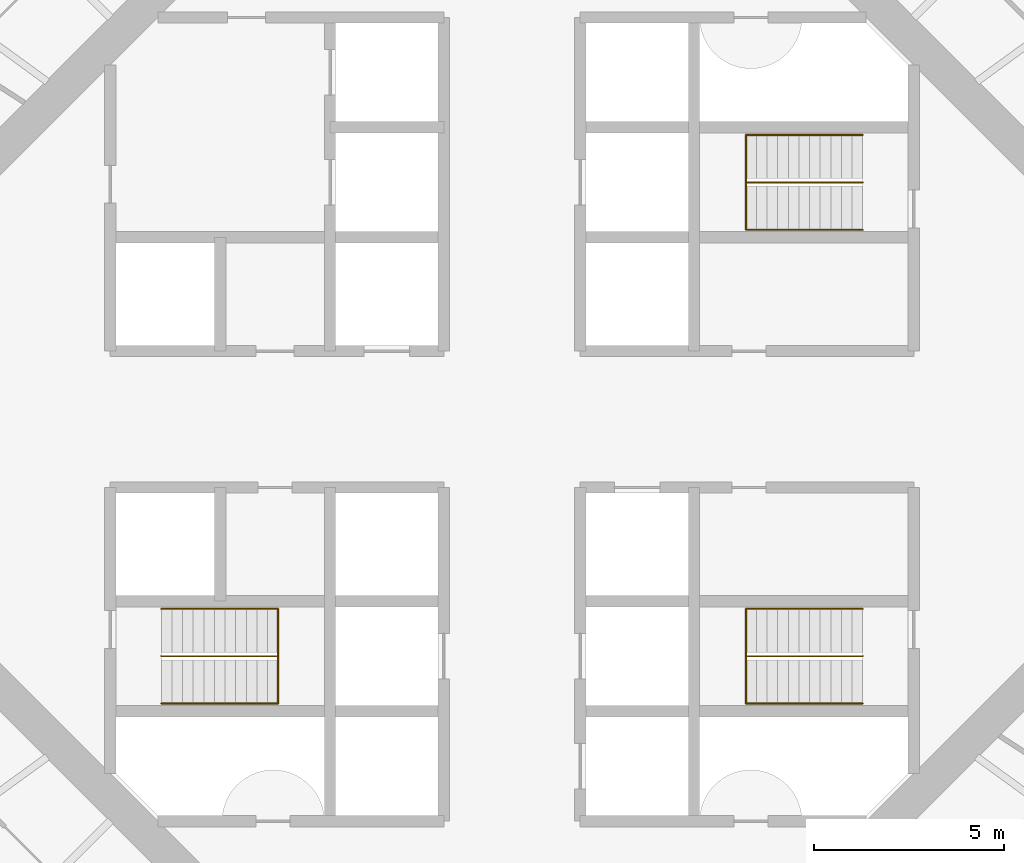
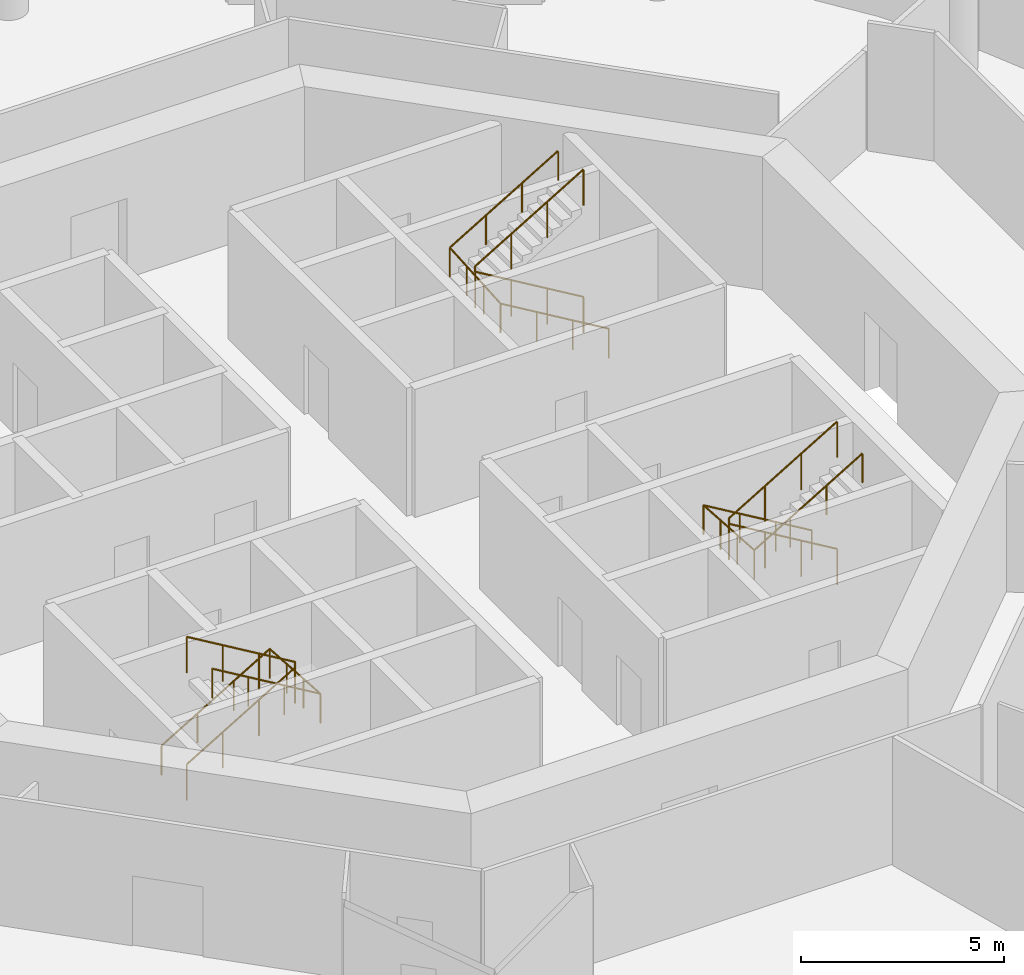
# One storey, part 13 of 13: 6 railings.
"""IFC4 building model written with IfcOpenShell, lengths in metres."""

from ifc_helpers import new_model, si_unit, direction, frame, origin, origin_2d, place, context, subcontext, project, spatial, circle, extrude, material, type_object, element, save


model = new_model("IFC4")

# Units and contexts
model_context = context("Model", 3, precision=1e-05, world=origin(), true_north=direction((0.0, 1.0)))
body_context = subcontext(model_context, "Body", "Model", "MODEL_VIEW")
ifc_project = project(units=[si_unit("LENGTHUNIT", "METRE"), si_unit("AREAUNIT", "SQUARE_METRE"), si_unit("VOLUMEUNIT", "CUBIC_METRE"), si_unit("PLANEANGLEUNIT", "RADIAN"), si_unit("MASSUNIT", "GRAM", prefix="KILO")], contexts=[model_context])

# Site, building, storey
site_placement = place(None, origin())
site = spatial("IfcSite", under=ifc_project, at=site_placement, CompositionType="ELEMENT")
building_placement = place(site_placement, origin())
building = spatial("IfcBuilding", under=site, at=building_placement, Name="Entoto Ring Tower", CompositionType="ELEMENT")
storey_placement = place(building_placement, frame((0.0, 0.0, 226.0)))
storey = spatial("IfcBuildingStorey", under=building, at=storey_placement, Name="L52", CompositionType="ELEMENT", Elevation=226.0)

# Railings
ifc_material_1 = material(Name="Steel S275", Category="steel")
railing_type_1 = type_object("IfcRailingType", Name="Stair guard 1100 mm steel", PredefinedType="GUARDRAIL", material=ifc_material_1)
railing_1_placement = place(storey_placement, frame((99.25, 86.25, 0.166748046875)))
element("IfcRailing", 1, at=railing_1_placement, inside=storey, type_object=railing_type_1, Name="Guard ST1", PredefinedType="GUARDRAIL", context=body_context, shape_type="SweptSolid", body=[
    extrude(circle(Radius=0.02392578125, at=origin_2d()), frame((0.0, 0.0, 1.076171875), z_axis=(-0.859308565015, 0.0, 0.511457515432), x_axis=(0.0, -1.0, 0.0)), (0.0, 0.0, 1.0), 3.58447265625),
    extrude(circle(Radius=0.02392578125, at=origin_2d()), frame((-3.080078125, 0.0, 2.9091796875), z_axis=(0.0, 0.0, 1.0), x_axis=(1.0, 0.0, 0.0)), (0.0, 0.0, 1.0), 0.166748046875),
    extrude(circle(Radius=0.02392578125, at=origin_2d()), frame((-3.080078125, 0.0, 3.076171875), z_axis=(0.859308565015, 0.0, 0.511457515432), x_axis=(0.0, 1.0, 0.0)), (0.0, 0.0, 1.0), 3.58447265625),
    extrude(circle(Radius=0.02099609375, at=origin_2d()), origin(), (0.0, 0.0, 1.0), 1.052001953125),
    extrude(circle(Radius=0.02099609375, at=origin_2d()), frame((-1.026611328125, 0.0, 0.611083984375)), (0.0, 0.0, 1.0), 1.052001953125),
    extrude(circle(Radius=0.02099609375, at=origin_2d()), frame((-2.053466796875, 0.0, 1.22216796875)), (0.0, 0.0, 1.0), 1.052001953125),
    extrude(circle(Radius=0.02099609375, at=origin_2d()), frame((-3.080078125, 0.0, 1.833251953125)), (0.0, 0.0, 1.0), 1.052001953125),
    extrude(circle(Radius=0.02099609375, at=origin_2d()), frame((-3.080078125, 0.0, 2.0)), (0.0, 0.0, 1.0), 1.052001953125),
    extrude(circle(Radius=0.02099609375, at=origin_2d()), frame((-2.053466796875, 0.0, 2.611083984375)), (0.0, 0.0, 1.0), 1.052001953125),
    extrude(circle(Radius=0.02099609375, at=origin_2d()), frame((-1.026611328125, 0.0, 3.22216796875)), (0.0, 0.0, 1.0), 1.052001953125),
    extrude(circle(Radius=0.02099609375, at=origin_2d()), frame((0.0, 0.0, 3.833251953125)), (0.0, 0.0, 1.0), 1.052001953125),
])
railing_2_placement = place(storey_placement, frame((80.75, 73.75, 0.166748046875)))
element("IfcRailing", 2, at=railing_2_placement, inside=storey, type_object=railing_type_1, Name="Guard ST2", PredefinedType="GUARDRAIL", context=body_context, shape_type="SweptSolid", body=[
    extrude(circle(Radius=0.02392578125, at=origin_2d()), frame((0.0, 0.0, 1.076171875), z_axis=(0.859308565015, 0.0, 0.511457515432), x_axis=(0.0, 1.0, 0.0)), (0.0, 0.0, 1.0), 3.58447265625),
    extrude(circle(Radius=0.02392578125, at=origin_2d()), frame((3.080078125, 0.0, 2.9091796875), z_axis=(0.0, 0.0, 1.0), x_axis=(1.0, 0.0, 0.0)), (0.0, 0.0, 1.0), 0.166748046875),
    extrude(circle(Radius=0.02392578125, at=origin_2d()), frame((3.080078125, 0.0, 3.076171875), z_axis=(-0.859308565015, 0.0, 0.511457515432), x_axis=(0.0, -1.0, 0.0)), (0.0, 0.0, 1.0), 3.58447265625),
    extrude(circle(Radius=0.02099609375, at=origin_2d()), origin(), (0.0, 0.0, 1.0), 1.052001953125),
    extrude(circle(Radius=0.02099609375, at=origin_2d()), frame((1.026611328125, 0.0, 0.611083984375)), (0.0, 0.0, 1.0), 1.052001953125),
    extrude(circle(Radius=0.02099609375, at=origin_2d()), frame((2.053466796875, 0.0, 1.22216796875)), (0.0, 0.0, 1.0), 1.052001953125),
    extrude(circle(Radius=0.02099609375, at=origin_2d()), frame((3.080078125, 0.0, 1.833251953125)), (0.0, 0.0, 1.0), 1.052001953125),
    extrude(circle(Radius=0.02099609375, at=origin_2d()), frame((3.080078125, 0.0, 2.0)), (0.0, 0.0, 1.0), 1.052001953125),
    extrude(circle(Radius=0.02099609375, at=origin_2d()), frame((2.053466796875, 0.0, 2.611083984375)), (0.0, 0.0, 1.0), 1.052001953125),
    extrude(circle(Radius=0.02099609375, at=origin_2d()), frame((1.026611328125, 0.0, 3.22216796875)), (0.0, 0.0, 1.0), 1.052001953125),
    extrude(circle(Radius=0.02099609375, at=origin_2d()), frame((0.0, 0.0, 3.833251953125)), (0.0, 0.0, 1.0), 1.052001953125),
])
railing_3_placement = place(storey_placement, frame((99.25, 73.75, 0.166748046875)))
element("IfcRailing", 3, at=railing_3_placement, inside=storey, type_object=railing_type_1, Name="Guard ST3", PredefinedType="GUARDRAIL", context=body_context, shape_type="SweptSolid", body=[
    extrude(circle(Radius=0.02392578125, at=origin_2d()), frame((0.0, 0.0, 1.076171875), z_axis=(-0.859308565015, 0.0, 0.511457515432), x_axis=(0.0, -1.0, 0.0)), (0.0, 0.0, 1.0), 3.58447265625),
    extrude(circle(Radius=0.02392578125, at=origin_2d()), frame((-3.080078125, 0.0, 2.9091796875), z_axis=(0.0, 0.0, 1.0), x_axis=(1.0, 0.0, 0.0)), (0.0, 0.0, 1.0), 0.166748046875),
    extrude(circle(Radius=0.02392578125, at=origin_2d()), frame((-3.080078125, 0.0, 3.076171875), z_axis=(0.859308565015, 0.0, 0.511457515432), x_axis=(0.0, 1.0, 0.0)), (0.0, 0.0, 1.0), 3.58447265625),
    extrude(circle(Radius=0.02099609375, at=origin_2d()), origin(), (0.0, 0.0, 1.0), 1.052001953125),
    extrude(circle(Radius=0.02099609375, at=origin_2d()), frame((-1.026611328125, 0.0, 0.611083984375)), (0.0, 0.0, 1.0), 1.052001953125),
    extrude(circle(Radius=0.02099609375, at=origin_2d()), frame((-2.053466796875, 0.0, 1.22216796875)), (0.0, 0.0, 1.0), 1.052001953125),
    extrude(circle(Radius=0.02099609375, at=origin_2d()), frame((-3.080078125, 0.0, 1.833251953125)), (0.0, 0.0, 1.0), 1.052001953125),
    extrude(circle(Radius=0.02099609375, at=origin_2d()), frame((-3.080078125, 0.0, 2.0)), (0.0, 0.0, 1.0), 1.052001953125),
    extrude(circle(Radius=0.02099609375, at=origin_2d()), frame((-2.053466796875, 0.0, 2.611083984375)), (0.0, 0.0, 1.0), 1.052001953125),
    extrude(circle(Radius=0.02099609375, at=origin_2d()), frame((-1.026611328125, 0.0, 3.22216796875)), (0.0, 0.0, 1.0), 1.052001953125),
    extrude(circle(Radius=0.02099609375, at=origin_2d()), frame((0.0, 0.0, 3.833251953125)), (0.0, 0.0, 1.0), 1.052001953125),
])
ifc_material_2 = material(Name="Steel S275", Category="steel")
railing_type_2 = type_object("IfcRailingType", Name="Stair handrail 900 mm steel", PredefinedType="HANDRAIL", material=ifc_material_2)
railing_4_placement = place(storey_placement, frame((99.25, 85.0, 0.166748046875)))
element("IfcRailing", 4, at=railing_4_placement, inside=storey, type_object=railing_type_2, Name="Handrail ST1", PredefinedType="HANDRAIL", context=body_context, shape_type="SweptSolid", body=[
    extrude(circle(Radius=0.02392578125, at=origin_2d()), frame((0.0, 0.0, 0.8759765625), z_axis=(-0.859308565015, 0.0, 0.511457515432), x_axis=(0.0, -1.0, 0.0)), (0.0, 0.0, 1.0), 3.58447265625),
    extrude(circle(Radius=0.02392578125, at=origin_2d()), frame((-3.080078125, 0.0, 2.708984375), z_axis=(0.0, 0.997783001586, 0.066551346688), x_axis=(-1.0, 0.0, 0.0)), (0.0, 0.0, 1.0), 2.505615234375),
    extrude(circle(Radius=0.02392578125, at=origin_2d()), frame((-3.080078125, 2.5, 2.8759765625), z_axis=(0.859308565015, 0.0, 0.511457515432), x_axis=(0.0, 1.0, 0.0)), (0.0, 0.0, 1.0), 3.58447265625),
    extrude(circle(Radius=0.02099609375, at=origin_2d()), origin(), (0.0, 0.0, 1.0), 0.851806640625),
    extrude(circle(Radius=0.02099609375, at=origin_2d()), frame((-1.026611328125, 0.0, 0.611083984375)), (0.0, 0.0, 1.0), 0.851806640625),
    extrude(circle(Radius=0.02099609375, at=origin_2d()), frame((-2.053466796875, 0.0, 1.22216796875)), (0.0, 0.0, 1.0), 0.851806640625),
    extrude(circle(Radius=0.02099609375, at=origin_2d()), frame((-3.080078125, 0.0, 1.833251953125)), (0.0, 0.0, 1.0), 0.851806640625),
    extrude(circle(Radius=0.02099609375, at=origin_2d()), frame((-3.080078125, 0.833251953125, 1.888916015625)), (0.0, 0.0, 1.0), 0.851806640625),
    extrude(circle(Radius=0.02099609375, at=origin_2d()), frame((-3.080078125, 1.666748046875, 1.9443359375)), (0.0, 0.0, 1.0), 0.851806640625),
    extrude(circle(Radius=0.02099609375, at=origin_2d()), frame((-3.080078125, 2.5, 2.0)), (0.0, 0.0, 1.0), 0.851806640625),
    extrude(circle(Radius=0.02099609375, at=origin_2d()), frame((-2.053466796875, 2.5, 2.611083984375)), (0.0, 0.0, 1.0), 0.851806640625),
    extrude(circle(Radius=0.02099609375, at=origin_2d()), frame((-1.026611328125, 2.5, 3.22216796875)), (0.0, 0.0, 1.0), 0.851806640625),
    extrude(circle(Radius=0.02099609375, at=origin_2d()), frame((0.0, 2.5, 3.833251953125)), (0.0, 0.0, 1.0), 0.851806640625),
])
railing_5_placement = place(storey_placement, frame((80.75, 75.0, 0.166748046875)))
element("IfcRailing", 5, at=railing_5_placement, inside=storey, type_object=railing_type_2, Name="Handrail ST2", PredefinedType="HANDRAIL", context=body_context, shape_type="SweptSolid", body=[
    extrude(circle(Radius=0.02392578125, at=origin_2d()), frame((0.0, 0.0, 0.8759765625), z_axis=(0.859308565015, 0.0, 0.511457515432), x_axis=(0.0, 1.0, 0.0)), (0.0, 0.0, 1.0), 3.58447265625),
    extrude(circle(Radius=0.02392578125, at=origin_2d()), frame((3.080078125, 0.0, 2.708984375), z_axis=(0.0, -0.997783001586, 0.066551346688), x_axis=(1.0, 0.0, 0.0)), (0.0, 0.0, 1.0), 2.505615234375),
    extrude(circle(Radius=0.02392578125, at=origin_2d()), frame((3.080078125, -2.5, 2.8759765625), z_axis=(-0.859308565015, 0.0, 0.511457515432), x_axis=(0.0, -1.0, 0.0)), (0.0, 0.0, 1.0), 3.58447265625),
    extrude(circle(Radius=0.02099609375, at=origin_2d()), origin(), (0.0, 0.0, 1.0), 0.851806640625),
    extrude(circle(Radius=0.02099609375, at=origin_2d()), frame((1.026611328125, 0.0, 0.611083984375)), (0.0, 0.0, 1.0), 0.851806640625),
    extrude(circle(Radius=0.02099609375, at=origin_2d()), frame((2.053466796875, 0.0, 1.22216796875)), (0.0, 0.0, 1.0), 0.851806640625),
    extrude(circle(Radius=0.02099609375, at=origin_2d()), frame((3.080078125, 0.0, 1.833251953125)), (0.0, 0.0, 1.0), 0.851806640625),
    extrude(circle(Radius=0.02099609375, at=origin_2d()), frame((3.080078125, -0.833251953125, 1.888916015625)), (0.0, 0.0, 1.0), 0.851806640625),
    extrude(circle(Radius=0.02099609375, at=origin_2d()), frame((3.080078125, -1.666748046875, 1.9443359375)), (0.0, 0.0, 1.0), 0.851806640625),
    extrude(circle(Radius=0.02099609375, at=origin_2d()), frame((3.080078125, -2.5, 2.0)), (0.0, 0.0, 1.0), 0.851806640625),
    extrude(circle(Radius=0.02099609375, at=origin_2d()), frame((2.053466796875, -2.5, 2.611083984375)), (0.0, 0.0, 1.0), 0.851806640625),
    extrude(circle(Radius=0.02099609375, at=origin_2d()), frame((1.026611328125, -2.5, 3.22216796875)), (0.0, 0.0, 1.0), 0.851806640625),
    extrude(circle(Radius=0.02099609375, at=origin_2d()), frame((0.0, -2.5, 3.833251953125)), (0.0, 0.0, 1.0), 0.851806640625),
])
railing_6_placement = place(storey_placement, frame((99.25, 75.0, 0.166748046875)))
element("IfcRailing", 6, at=railing_6_placement, inside=storey, type_object=railing_type_2, Name="Handrail ST3", PredefinedType="HANDRAIL", context=body_context, shape_type="SweptSolid", body=[
    extrude(circle(Radius=0.02392578125, at=origin_2d()), frame((0.0, 0.0, 0.8759765625), z_axis=(-0.859308565015, 0.0, 0.511457515432), x_axis=(0.0, -1.0, 0.0)), (0.0, 0.0, 1.0), 3.58447265625),
    extrude(circle(Radius=0.02392578125, at=origin_2d()), frame((-3.080078125, 0.0, 2.708984375), z_axis=(0.0, -0.997783001586, 0.066551346688), x_axis=(1.0, 0.0, 0.0)), (0.0, 0.0, 1.0), 2.505615234375),
    extrude(circle(Radius=0.02392578125, at=origin_2d()), frame((-3.080078125, -2.5, 2.8759765625), z_axis=(0.859308565015, 0.0, 0.511457515432), x_axis=(0.0, 1.0, 0.0)), (0.0, 0.0, 1.0), 3.58447265625),
    extrude(circle(Radius=0.02099609375, at=origin_2d()), origin(), (0.0, 0.0, 1.0), 0.851806640625),
    extrude(circle(Radius=0.02099609375, at=origin_2d()), frame((-1.026611328125, 0.0, 0.611083984375)), (0.0, 0.0, 1.0), 0.851806640625),
    extrude(circle(Radius=0.02099609375, at=origin_2d()), frame((-2.053466796875, 0.0, 1.22216796875)), (0.0, 0.0, 1.0), 0.851806640625),
    extrude(circle(Radius=0.02099609375, at=origin_2d()), frame((-3.080078125, 0.0, 1.833251953125)), (0.0, 0.0, 1.0), 0.851806640625),
    extrude(circle(Radius=0.02099609375, at=origin_2d()), frame((-3.080078125, -0.833251953125, 1.888916015625)), (0.0, 0.0, 1.0), 0.851806640625),
    extrude(circle(Radius=0.02099609375, at=origin_2d()), frame((-3.080078125, -1.666748046875, 1.9443359375)), (0.0, 0.0, 1.0), 0.851806640625),
    extrude(circle(Radius=0.02099609375, at=origin_2d()), frame((-3.080078125, -2.5, 2.0)), (0.0, 0.0, 1.0), 0.851806640625),
    extrude(circle(Radius=0.02099609375, at=origin_2d()), frame((-2.053466796875, -2.5, 2.611083984375)), (0.0, 0.0, 1.0), 0.851806640625),
    extrude(circle(Radius=0.02099609375, at=origin_2d()), frame((-1.026611328125, -2.5, 3.22216796875)), (0.0, 0.0, 1.0), 0.851806640625),
    extrude(circle(Radius=0.02099609375, at=origin_2d()), frame((0.0, -2.5, 3.833251953125)), (0.0, 0.0, 1.0), 0.851806640625),
])

save(model, "model.ifc")
